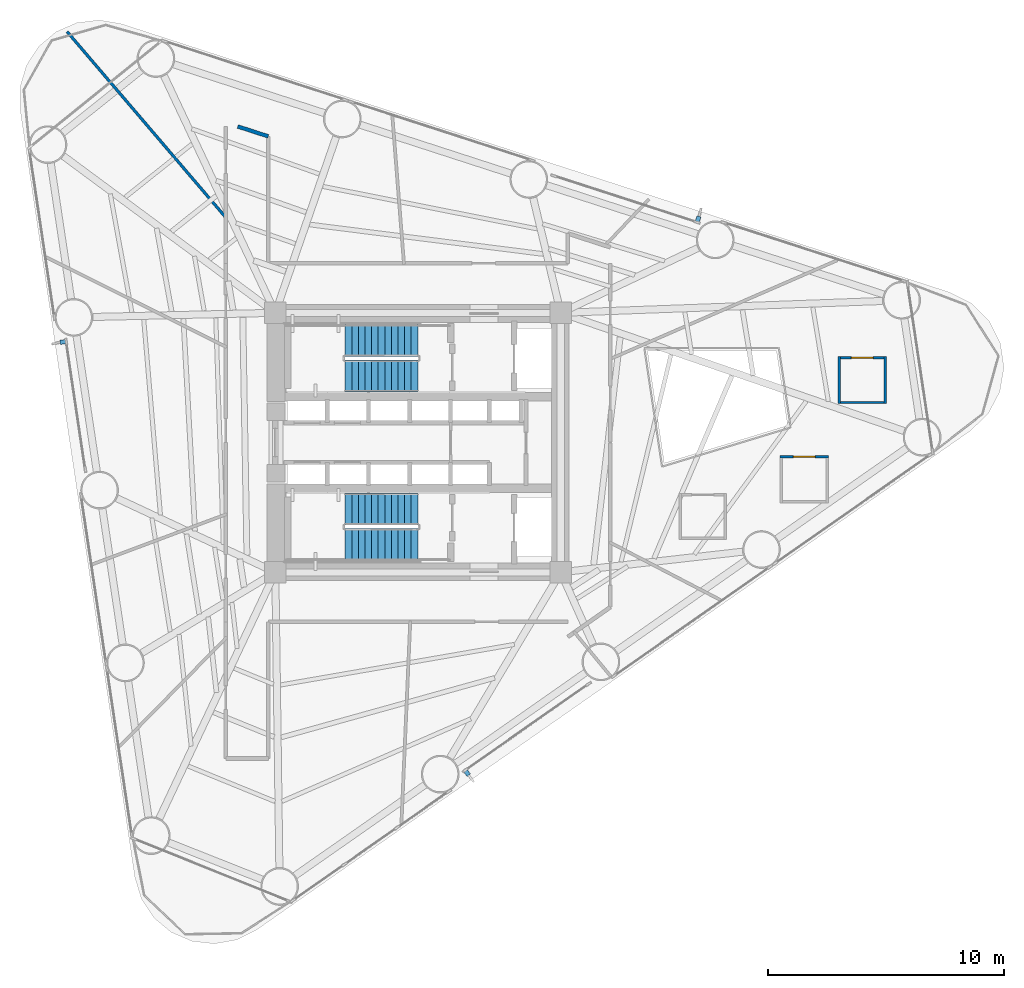
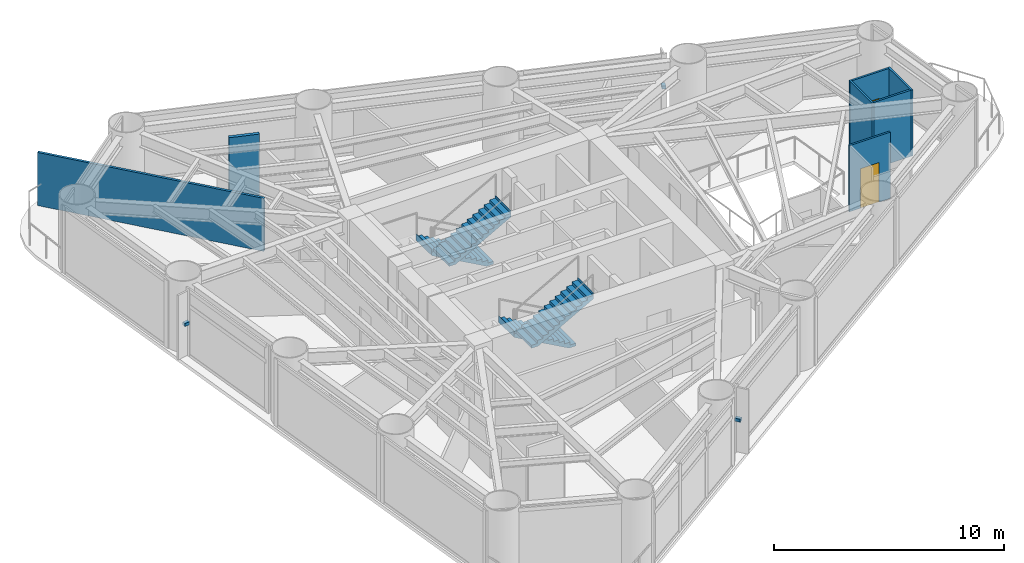
# One storey, part 7 of 9: 7 walls, 4 stair flights, 3 discrete accessories, 2 doors, 2 openings, 2 elements without a shape of their own.
"""IFC4 building model written with IfcOpenShell, lengths in metres."""

import ifcopenshell
import ifcopenshell.guid

model = None  # the IFC model being written
_history = None  # IfcOwnerHistory: only IFC2X3 demands one
_inside = {}  # id of a spatial element -> (the spatial element, [elements in it])
_under = {}  # id of a project, library or spatial element -> (it, [spatial elements below it])
_declared = {}  # id of a project -> (the project, [libraries it declares])
_typed = {}  # id of a type object -> (the type object, [elements of that type])
_made_of = {}  # id of a material, layer set ... -> (it, [elements and type objects made of it])


def new_model(schema):
    """Start an empty IFC model of exactly this schema.

    Asked for "IFC4X3", IfcOpenShell would pick the latest addendum, in which some entities
    have other attributes; the version numbers below select the first issue.
    IFC2X3 requires an IfcOwnerHistory on every rooted entity: one is made here for all.
    """
    global model, _history
    if schema == "IFC4X3":
        model = ifcopenshell.file(schema_version=(4, 3, 0, 0))
    else:
        model = ifcopenshell.file(schema=schema)
    _inside.clear()
    _under.clear()
    _declared.clear()
    _typed.clear()
    _made_of.clear()
    _history = None
    if model.schema == "IFC2X3":
        org = make("IfcOrganization", Name="unknown")
        user = make(
            "IfcPersonAndOrganization",
            ThePerson=make("IfcPerson", FamilyName="unknown"),
            TheOrganization=org,
        )
        app = make(
            "IfcApplication",
            ApplicationDeveloper=org,
            Version="unknown",
            ApplicationFullName="unknown",
            ApplicationIdentifier="unknown",
        )
        _history = make(
            "IfcOwnerHistory",
            OwningUser=user,
            OwningApplication=app,
            ChangeAction="ADDED",
            CreationDate=0,
        )
    return model


def make(cls, **values):
    """One entity of the class cls with the attributes given. An attribute that is None is left unset."""
    return model.create_entity(
        cls, **{name: value for name, value in values.items() if value is not None}
    )


def rooted(cls, **values):
    """An entity with a GlobalId (a new one), such as an element, a storey or a relation."""
    return make(cls, GlobalId=ifcopenshell.guid.new(), OwnerHistory=_history, **values)


def si_unit(unit_type, name, prefix=None):
    """IfcSIUnit, for example si_unit("LENGTHUNIT", "METRE", prefix="MILLI")."""
    return make("IfcSIUnit", UnitType=unit_type, Prefix=prefix, Name=name)


def assignment(units):
    """IfcUnitAssignment: the units of a project."""
    return None if units is None else make("IfcUnitAssignment", Units=units)


def point(xyz):
    """IfcCartesianPoint."""
    return None if xyz is None else make("IfcCartesianPoint", Coordinates=xyz)


def direction(xyz):
    """IfcDirection."""
    return None if xyz is None else make("IfcDirection", DirectionRatios=xyz)


def frame(location, z_axis=None, x_axis=None):
    """IfcAxis2Placement3D, a coordinate frame: its origin and axes. An axis left out is left unset."""
    return make(
        "IfcAxis2Placement3D",
        Location=point(location),
        Axis=direction(z_axis),
        RefDirection=direction(x_axis),
    )


def frame_2d(location, x_axis=None):
    """IfcAxis2Placement2D, a coordinate frame in the plane: its origin and x axis."""
    return make(
        "IfcAxis2Placement2D", Location=point(location), RefDirection=direction(x_axis)
    )


def origin():
    """The frame at (0, 0, 0) with its axes left unset."""
    return frame((0.0, 0.0, 0.0))


def origin_2d():
    """The frame at (0, 0) in the plane with its x axis left unset."""
    return frame_2d((0.0, 0.0))


def place(relative_to, where):
    """IfcLocalPlacement: puts the frame where relative to a parent placement (None: the world)."""
    return make(
        "IfcLocalPlacement", PlacementRelTo=relative_to, RelativePlacement=where
    )


def context(
    kind, dimensions, precision=None, world=None, true_north=None, identifier=None
):
    """IfcGeometricRepresentationContext, for example the 3D "Model" context."""
    return make(
        "IfcGeometricRepresentationContext",
        ContextIdentifier=identifier,
        ContextType=kind,
        CoordinateSpaceDimension=dimensions,
        Precision=precision,
        WorldCoordinateSystem=world,
        TrueNorth=true_north,
    )


def subcontext(parent, identifier, kind, view, scale=None):
    """IfcGeometricRepresentationSubContext, for example "Body" below "Model"."""
    return make(
        "IfcGeometricRepresentationSubContext",
        ContextIdentifier=identifier,
        ContextType=kind,
        ParentContext=parent,
        TargetScale=scale,
        TargetView=view,
    )


def project(units=None, contexts=None):
    """IfcProject with its units and contexts."""
    return rooted(
        "IfcProject",
        Name="project",
        RepresentationContexts=contexts,
        UnitsInContext=assignment(units),
    )


def spatial(cls, under=None, at=None, **own):
    """A site, building, storey or space (cls), placed at a placement, below another one or the project."""
    s = rooted(cls, ObjectPlacement=at, **own)
    if under is not None:
        _under.setdefault(under.id(), (under, []))[1].append(s)
    return s


def polyline(points):
    """IfcPolyline through the points."""
    return make("IfcPolyline", Points=[point(p) for p in points])


def profile(cls, at=None, kind="AREA", **sizes):
    """A parametric profile (cls). Its sizes go by their IFC names, for example OverallWidth=200.0."""
    return make(cls, ProfileType=kind, Position=at, **sizes)


def rectangle(**sizes):
    """IfcRectangleProfileDef."""
    return profile("IfcRectangleProfileDef", **sizes)


def outline(outer, holes=None, kind="AREA"):
    """IfcArbitraryClosedProfileDef: a profile drawn as a closed curve; with holes, ...WithVoids."""
    if holes is None:
        return make("IfcArbitraryClosedProfileDef", ProfileType=kind, OuterCurve=outer)
    return make(
        "IfcArbitraryProfileDefWithVoids",
        ProfileType=kind,
        OuterCurve=outer,
        InnerCurves=holes,
    )


def extrude(swept, where, along, depth):
    """IfcExtrudedAreaSolid: the profile swept, set in the frame where, extruded along a direction by depth."""
    return make(
        "IfcExtrudedAreaSolid",
        SweptArea=swept,
        Position=where,
        ExtrudedDirection=direction(along),
        Depth=depth,
    )


def shape(context_of_items, identifier, shape_type, items):
    """IfcShapeRepresentation: the items that make up one representation, for example the "Body"."""
    return make(
        "IfcShapeRepresentation",
        ContextOfItems=context_of_items,
        RepresentationIdentifier=identifier,
        RepresentationType=shape_type,
        Items=items,
    )


def source(mapping_origin, context_of_items, identifier, shape_type, items):
    """IfcRepresentationMap: a shape defined once, which mapped items show again and again."""
    return make(
        "IfcRepresentationMap",
        MappingOrigin=mapping_origin,
        MappedRepresentation=shape(context_of_items, identifier, shape_type, items),
    )


def transform(
    local_origin,
    x_axis=None,
    y_axis=None,
    z_axis=None,
    scale=None,
    scale2=None,
    scale3=None,
    uniform=True,
):
    """IfcCartesianTransformationOperator3D, or its non-uniform kind. x_axis, y_axis, z_axis: its Axis1, 2, 3."""
    if uniform:
        return make(
            "IfcCartesianTransformationOperator3D",
            Axis1=direction(x_axis),
            Axis2=direction(y_axis),
            LocalOrigin=point(local_origin),
            Scale=scale,
            Axis3=direction(z_axis),
        )
    return make(
        "IfcCartesianTransformationOperator3DnonUniform",
        Axis1=direction(x_axis),
        Axis2=direction(y_axis),
        LocalOrigin=point(local_origin),
        Scale=scale,
        Axis3=direction(z_axis),
        Scale2=scale2,
        Scale3=scale3,
    )


def mapped(mapping_source, mapping_target):
    """IfcMappedItem: shows the shape of a source again, moved by a transform."""
    return make(
        "IfcMappedItem", MappingSource=mapping_source, MappingTarget=mapping_target
    )


def material(Name=None, Category=None):
    """IfcMaterial."""
    return make("IfcMaterial", Name=Name, Category=Category)


def layer(
    of_material, thickness, ventilated=None, Name=None, Category=None, Priority=None
):
    """IfcMaterialLayer: one layer of a wall or slab, of a material (None: an air gap)."""
    return make(
        "IfcMaterialLayer",
        Material=of_material,
        LayerThickness=thickness,
        IsVentilated=ventilated,
        Name=Name,
        Category=Category,
        Priority=Priority,
    )


def layer_set(layers, Name=None):
    """IfcMaterialLayerSet."""
    return make("IfcMaterialLayerSet", MaterialLayers=layers, LayerSetName=Name)


def made_of(thing, what):
    """Note that an element or type object is made of a material, layer set ...; save() writes the relation."""
    if what is not None:
        _made_of.setdefault(what.id(), (what, []))[1].append(thing)
    return thing


def type_object(cls, material=None, **own):
    """A type object (cls), such as IfcWallType, which elements share."""
    return made_of(rooted(cls, **own), material)


def element(
    cls,
    number,
    at=None,
    inside=None,
    cuts=None,
    type_object=None,
    material=None,
    context=None,
    identifier="Body",
    shape_type=None,
    held_by="IfcProductDefinitionShape",
    body=None,
    shapes=None,
    **own,
):
    """One element of the class cls, such as IfcWall. Its Tag is "e" and its number.

    at: its placement. inside: the storey or other place that contains it. cuts: it is an
    opening in that element (IfcRelVoidsElement). A single representation is given by context,
    identifier, shape_type and body (its items); several are given by shapes. held_by: the class
    of the entity that holds the representations. save() writes the other relations.
    """
    e = rooted(cls, Tag="e%d" % number, ObjectPlacement=at, **own)
    if body is not None:
        shapes = [shape(context, identifier, shape_type, body)]
    if shapes is not None:
        e.Representation = make(held_by, Representations=shapes)
    if inside is not None:
        _inside.setdefault(inside.id(), (inside, []))[1].append(e)
    if cuts is not None:
        rooted(
            "IfcRelVoidsElement", RelatingBuildingElement=cuts, RelatedOpeningElement=e
        )
    if type_object is not None:
        _typed.setdefault(type_object.id(), (type_object, []))[1].append(e)
    return made_of(e, material)


def fill(opening, filler):
    """IfcRelFillsElement: the door or window that sits in an opening."""
    return rooted(
        "IfcRelFillsElement",
        RelatingOpeningElement=opening,
        RelatedBuildingElement=filler,
    )


def aggregate(whole, parts):
    """IfcRelAggregates: a whole, such as a stair, and the parts it consists of."""
    return rooted("IfcRelAggregates", RelatingObject=whole, RelatedObjects=parts)


def save(model, path):
    """Write the relations noted so far, then the file.

    IfcRelAggregates (storeys below a building ...), IfcRelContainedInSpatialStructure (elements
    in a storey), IfcRelDefinesByType, IfcRelAssociatesMaterial and IfcRelDeclares: one each for
    every whole, place, type object, material and project.
    """
    for whole, parts in _under.values():
        aggregate(whole, parts)
    for where, things in _inside.values():
        rooted(
            "IfcRelContainedInSpatialStructure",
            RelatedElements=things,
            RelatingStructure=where,
        )
    for kind, things in _typed.values():
        rooted("IfcRelDefinesByType", RelatedObjects=things, RelatingType=kind)
    for what, things in _made_of.values():
        rooted("IfcRelAssociatesMaterial", RelatedObjects=things, RelatingMaterial=what)
    for by, libraries in _declared.values():
        rooted("IfcRelDeclares", RelatingContext=by, RelatedDefinitions=libraries)
    model.write(path)


model = new_model("IFC4")

# Units and contexts
model_context = context("Model", 3, precision=1e-05, world=origin(), true_north=direction((0.0, 1.0)))
body_context = subcontext(model_context, "Body", "Model", "MODEL_VIEW")
ifc_project = project(units=[si_unit("LENGTHUNIT", "METRE"), si_unit("AREAUNIT", "SQUARE_METRE"), si_unit("VOLUMEUNIT", "CUBIC_METRE"), si_unit("PLANEANGLEUNIT", "RADIAN"), si_unit("MASSUNIT", "GRAM", prefix="KILO")], contexts=[model_context])

# Site, building, storey
site_placement = place(None, origin())
site = spatial("IfcSite", under=ifc_project, at=site_placement, CompositionType="ELEMENT")
building_placement = place(site_placement, origin())
building = spatial("IfcBuilding", under=site, at=building_placement, Name="Yunling Apex Tower", CompositionType="ELEMENT")
storey_placement = place(building_placement, frame((0.0, 0.0, 81.050048828125)))
storey = spatial("IfcBuildingStorey", under=building, at=storey_placement, Name="L21", CompositionType="ELEMENT", Elevation=81.050048828125)

# Walls
ifc_material_1 = material(Name="Gypsum board acoustic partition")
ifc_layer_1 = layer(ifc_material_1, 0.159912109375)
ifc_layer_set_1 = layer_set([ifc_layer_1], Name="Gypsum board acoustic partition")
wall_type_1 = type_object("IfcWallType", Name="WL-PRT-1", PredefinedType="PARTITIONING", material=ifc_layer_set_1)
wall_1_placement = place(storey_placement, frame((-7.64111328125, 13.39990234375, 0.0), z_axis=(0.0, 0.0, 1.0), x_axis=(0.951277022007, -0.308337521884, 0.0)))
element("IfcWall", 1, at=wall_1_placement, inside=storey, type_object=wall_type_1, Name="WL-CORR-L21-05", PredefinedType="PARTITIONING", context=body_context, shape_type="SweptSolid", body=[
    extrude(rectangle(XDim=1.357177734375, YDim=0.159912109375, at=frame_2d((0.6787109375, 0.0))), origin(), (0.0, 0.0, 1.0), 3.510009765625),
])
ifc_layer_2 = layer(ifc_material_1, 0.1201171875)
ifc_layer_set_2 = layer_set([ifc_layer_2], Name="Gypsum board acoustic partition")
wall_type_2 = type_object("IfcWallType", Name="WL-PRT-3", PredefinedType="PARTITIONING", material=ifc_layer_set_2)
wall_2_placement = place(storey_placement, frame((-8.110107421875, 9.49560546875, 0.0), z_axis=(0.0, 0.0, 1.0), x_axis=(-0.649436485197, 0.760415841297, 0.0)))
element("IfcWall", 2, at=wall_2_placement, inside=storey, type_object=wall_type_2, Name="WL-RAD-L21-01", PredefinedType="PARTITIONING", context=body_context, shape_type="SweptSolid", body=[
    extrude(rectangle(XDim=10.42529296875, YDim=0.1201171875, at=frame_2d((5.212646484375, 0.0))), origin(), (0.0, 0.0, 1.0), 2.81494140625),
])

# Wall, opening, door
ifc_layer_3 = layer(ifc_material_1, 0.10009765625)
ifc_layer_set_3 = layer_set([ifc_layer_3], Name="Gypsum board acoustic partition")
wall_type_3 = type_object("IfcWallType", Name="WL-PRT-4", PredefinedType="PARTITIONING", material=ifc_layer_set_3)
wall_3_placement = place(storey_placement, frame((15.345947265625, -0.60400390625, 0.0), z_axis=(0.0, 0.0, 1.0), x_axis=(1.0, 0.0, 0.0)))
wall_3 = element("IfcWall", 3, at=wall_3_placement, inside=storey, type_object=wall_type_3, Name="WL-L21-WCMN", PredefinedType="PARTITIONING", context=body_context, shape_type="SweptSolid", body=[
    extrude(rectangle(XDim=2.050048828125, YDim=0.10009765625, at=frame_2d((1.02490234375, 0.0))), origin(), (0.0, 0.0, 1.0), 3.510009765625),
])
opening_1_placement = place(wall_3_placement, frame((0.56494140625, 0.0, 0.0)))
opening_1 = element("IfcOpeningElement", 4, at=opening_1_placement, cuts=wall_3, Name="Opening DR-WC-1", PredefinedType="OPENING", context=body_context, shape_type="SweptSolid", body=[
    extrude(rectangle(XDim=0.919921875, YDim=2.10009765625, at=frame_2d((0.4599609375, 1.050048828125))), frame((0.0, 0.06005859375, 0.0), z_axis=(0.0, -1.0, 0.0), x_axis=(1.0, 0.0, 0.0)), (0.0, 0.0, 1.0), 0.1201171875),
])
ifc_material_2 = material(Name="Timber moisture-resistant leaf", Category="wood")
door_type = type_object("IfcDoorType", Name="DR-WC-1", OperationType="NOTDEFINED", PredefinedType="DOOR", material=ifc_material_2)
door_1_placement = place(opening_1_placement, origin())
door_1 = element("IfcDoor", 5, at=door_1_placement, inside=storey, type_object=door_type, Name="L21 Male Toilet Door", OperationType="SINGLE_SWING_LEFT", OverallHeight=2.10009765625, OverallWidth=0.919921875, PredefinedType="DOOR", context=body_context, shape_type="SweptSolid", body=[
    extrude(rectangle(XDim=0.919921875, YDim=2.10009765625, at=frame_2d((0.4599609375, 1.050048828125))), frame((0.0, 0.02490234375, 0.0), z_axis=(0.0, -1.0, 0.0), x_axis=(1.0, 0.0, 0.0)), (0.0, 0.0, 1.0), 0.050048828125),
])
fill(opening_1, door_1)

wall_4_placement = place(storey_placement, frame((17.803955078125, 3.59912109375, 0.0), z_axis=(0.0, 0.0, 1.0), x_axis=(1.0, 0.0, 0.0)))
wall_4 = element("IfcWall", 6, at=wall_4_placement, inside=storey, type_object=wall_type_3, Name="WL-L21-WCFN", PredefinedType="PARTITIONING", context=body_context, shape_type="SweptSolid", body=[
    extrude(rectangle(XDim=2.050048828125, YDim=0.10009765625, at=frame_2d((1.02490234375, 0.0))), origin(), (0.0, 0.0, 1.0), 3.510009765625),
])
opening_2_placement = place(wall_4_placement, frame((0.56494140625, 0.0, 0.0)))
opening_2 = element("IfcOpeningElement", 7, at=opening_2_placement, cuts=wall_4, Name="Opening DR-WC-1", PredefinedType="OPENING", context=body_context, shape_type="SweptSolid", body=[
    extrude(rectangle(XDim=0.919921875, YDim=2.10009765625, at=frame_2d((0.4599609375, 1.050048828125))), frame((0.0, 0.06005859375, 0.0), z_axis=(0.0, -1.0, 0.0), x_axis=(1.0, 0.0, 0.0)), (0.0, 0.0, 1.0), 0.1201171875),
])
door_2_placement = place(opening_2_placement, origin())
door_2 = element("IfcDoor", 8, at=door_2_placement, inside=storey, type_object=door_type, Name="L21 Female Toilet Door", OperationType="SINGLE_SWING_RIGHT", OverallHeight=2.10009765625, OverallWidth=0.919921875, PredefinedType="DOOR", context=body_context, shape_type="SweptSolid", body=[
    extrude(rectangle(XDim=0.919921875, YDim=2.10009765625, at=frame_2d((0.4599609375, 1.050048828125))), frame((0.0, 0.02490234375, 0.0), z_axis=(0.0, -1.0, 0.0), x_axis=(1.0, 0.0, 0.0)), (0.0, 0.0, 1.0), 0.050048828125),
])
fill(opening_2, door_2)

# Walls
wall_5_placement = place(storey_placement, frame((19.85400390625, 1.698974609375, 0.0), z_axis=(0.0, 0.0, 1.0), x_axis=(-1.0, 0.0, 0.0)))
element("IfcWall", 9, at=wall_5_placement, inside=storey, type_object=wall_type_3, Name="WL-L21-WCFS", PredefinedType="PARTITIONING", context=body_context, shape_type="SweptSolid", body=[
    extrude(rectangle(XDim=2.050048828125, YDim=0.10009765625, at=frame_2d((1.02490234375, 0.0))), origin(), (0.0, 0.0, 1.0), 3.510009765625),
])
for number, where, z_axis, x_axis, name in (
    (10, (19.803955078125, 3.64892578125, 0.0), (0.0, 0.0, 1.0), (0.0, -1.0, 0.0), "WL-L21-WCFE"),
    (11, (17.85400390625, 1.64892578125, 0.0), (0.0, 0.0, 1.0), (0.0, 1.0, 0.0), "WL-L21-WCFW"),
):
    element("IfcWall", number, at=place(storey_placement, frame(where, z_axis=z_axis, x_axis=x_axis)), inside=storey, type_object=wall_type_3, Name=name, PredefinedType="PARTITIONING", context=body_context, shape_type="SweptSolid", body=[
        extrude(rectangle(XDim=2.0, YDim=0.10009765625, at=frame_2d((1.0, 0.0))), origin(), (0.0, 0.0, 1.0), 3.510009765625),
    ])

# Stair, stair flights
ifc_material_3 = material(Name="Concrete C40", Category="concrete")
stair_type = type_object("IfcStairType", Name="ST-TWR-1", PredefinedType="HALF_TURN_STAIR", material=ifc_material_3)
stair_1_placement = place(storey_placement, origin())
stair_1 = element("IfcStair", 12, at=stair_1_placement, inside=storey, type_object=stair_type, Name="L21 North Core Smokeproof Exit Stair ST-1", PredefinedType="HALF_TURN_STAIR")
stair_flight_type = type_object("IfcStairFlightType", Name="SFL-TWR-1", PredefinedType="STRAIGHT", material=ifc_material_3)
stair_flight_1_placement = place(storey_placement, frame((-0.010009765625, 4.330078125, 0.0), z_axis=(0.0, 0.0, 1.0), x_axis=(-1.0, 0.0, 0.0)))
stair_flight_1 = element("IfcStairFlight", 13, at=stair_flight_1_placement, type_object=stair_flight_type, Name="ST-1 flight 1", NumberOfRisers=12, NumberOfTreads=11, PredefinedType="STRAIGHT", RiserHeight=0.15625, TreadLength=0.28, context=body_context, shape_type="SweptSolid", body=[
    extrude(outline(polyline([(-0.011962890625, 0.0), (-0.011962890625, 0.15625), (0.0, 0.15625), (0.280029296875, 0.15625), (0.280029296875, 0.3125), (0.56005859375, 0.3125), (0.56005859375, 0.46875), (0.840087890625, 0.46875), (0.840087890625, 0.625), (1.1201171875, 0.625), (1.1201171875, 0.78125), (1.39990234375, 0.78125), (1.39990234375, 0.9375), (1.679931640625, 0.9375), (1.679931640625, 1.09375), (1.9599609375, 1.09375), (1.9599609375, 1.25), (2.239990234375, 1.25), (2.239990234375, 1.40625), (2.52001953125, 1.40625), (2.52001953125, 1.5625), (2.800048828125, 1.5625), (2.800048828125, 1.71875), (3.080078125, 1.71875), (3.080078125, 1.875), (3.092041015625, 1.875), (3.092041015625, 1.53564453125), (0.328125, 0.0), (-0.011962890625, 0.0)])), frame((0.0, 0.68017578125, 0.0), z_axis=(0.0, -1.0, 0.0), x_axis=(1.0, 0.0, 0.0)), (0.0, 0.0, 1.0), 1.360107421875),
])
stair_flight_2_placement = place(storey_placement, frame((-3.090087890625, 2.820068359375, 1.875), z_axis=(0.0, 0.0, 1.0), x_axis=(1.0, 0.0, 0.0)))
stair_flight_2 = element("IfcStairFlight", 14, at=stair_flight_2_placement, type_object=stair_flight_type, Name="ST-1 flight 2", NumberOfRisers=12, NumberOfTreads=11, PredefinedType="STRAIGHT", RiserHeight=0.15625, TreadLength=0.28, context=body_context, shape_type="SweptSolid", body=[
    extrude(outline(polyline([(-0.011962890625, 0.0), (-0.011962890625, 0.15625), (0.0, 0.15625), (0.280029296875, 0.15625), (0.280029296875, 0.3125), (0.56005859375, 0.3125), (0.56005859375, 0.46875), (0.840087890625, 0.46875), (0.840087890625, 0.625), (1.1201171875, 0.625), (1.1201171875, 0.78125), (1.39990234375, 0.78125), (1.39990234375, 0.9375), (1.679931640625, 0.9375), (1.679931640625, 1.09375), (1.9599609375, 1.09375), (1.9599609375, 1.25), (2.239990234375, 1.25), (2.239990234375, 1.40625), (2.52001953125, 1.40625), (2.52001953125, 1.5625), (2.800048828125, 1.5625), (2.800048828125, 1.71875), (3.080078125, 1.71875), (3.080078125, 1.875), (3.092041015625, 1.875), (3.092041015625, 1.53564453125), (0.328125, 0.0), (-0.011962890625, 0.0)])), frame((0.0, 0.68017578125, 0.0), z_axis=(0.0, -1.0, 0.0), x_axis=(1.0, 0.0, 0.0)), (0.0, 0.0, 1.0), 1.360107421875),
])
aggregate(stair_1, [stair_flight_1, stair_flight_2])

stair_2_placement = place(storey_placement, origin())
stair_2 = element("IfcStair", 15, at=stair_2_placement, inside=storey, type_object=stair_type, Name="L21 South Core Smokeproof Exit Stair ST-2", PredefinedType="HALF_TURN_STAIR")
stair_flight_3_placement = place(storey_placement, frame((-0.010009765625, -2.820068359375, 0.0), z_axis=(0.0, 0.0, 1.0), x_axis=(-1.0, 0.0, 0.0)))
stair_flight_3 = element("IfcStairFlight", 16, at=stair_flight_3_placement, type_object=stair_flight_type, Name="ST-2 flight 1", NumberOfRisers=12, NumberOfTreads=11, PredefinedType="STRAIGHT", RiserHeight=0.15625, TreadLength=0.28, context=body_context, shape_type="SweptSolid", body=[
    extrude(outline(polyline([(-0.011962890625, 0.0), (-0.011962890625, 0.15625), (0.0, 0.15625), (0.280029296875, 0.15625), (0.280029296875, 0.3125), (0.56005859375, 0.3125), (0.56005859375, 0.46875), (0.840087890625, 0.46875), (0.840087890625, 0.625), (1.1201171875, 0.625), (1.1201171875, 0.78125), (1.39990234375, 0.78125), (1.39990234375, 0.9375), (1.679931640625, 0.9375), (1.679931640625, 1.09375), (1.9599609375, 1.09375), (1.9599609375, 1.25), (2.239990234375, 1.25), (2.239990234375, 1.40625), (2.52001953125, 1.40625), (2.52001953125, 1.5625), (2.800048828125, 1.5625), (2.800048828125, 1.71875), (3.080078125, 1.71875), (3.080078125, 1.875), (3.092041015625, 1.875), (3.092041015625, 1.53564453125), (0.328125, 0.0), (-0.011962890625, 0.0)])), frame((0.0, 0.68017578125, 0.0), z_axis=(0.0, -1.0, 0.0), x_axis=(1.0, 0.0, 0.0)), (0.0, 0.0, 1.0), 1.360107421875),
])
stair_flight_4_placement = place(storey_placement, frame((-3.090087890625, -4.330078125, 1.875), z_axis=(0.0, 0.0, 1.0), x_axis=(1.0, 0.0, 0.0)))
stair_flight_4 = element("IfcStairFlight", 17, at=stair_flight_4_placement, type_object=stair_flight_type, Name="ST-2 flight 2", NumberOfRisers=12, NumberOfTreads=11, PredefinedType="STRAIGHT", RiserHeight=0.15625, TreadLength=0.28, context=body_context, shape_type="SweptSolid", body=[
    extrude(outline(polyline([(-0.011962890625, 0.0), (-0.011962890625, 0.15625), (0.0, 0.15625), (0.280029296875, 0.15625), (0.280029296875, 0.3125), (0.56005859375, 0.3125), (0.56005859375, 0.46875), (0.840087890625, 0.46875), (0.840087890625, 0.625), (1.1201171875, 0.625), (1.1201171875, 0.78125), (1.39990234375, 0.78125), (1.39990234375, 0.9375), (1.679931640625, 0.9375), (1.679931640625, 1.09375), (1.9599609375, 1.09375), (1.9599609375, 1.25), (2.239990234375, 1.25), (2.239990234375, 1.40625), (2.52001953125, 1.40625), (2.52001953125, 1.5625), (2.800048828125, 1.5625), (2.800048828125, 1.71875), (3.080078125, 1.71875), (3.080078125, 1.875), (3.092041015625, 1.875), (3.092041015625, 1.53564453125), (0.328125, 0.0), (-0.011962890625, 0.0)])), frame((0.0, 0.68017578125, 0.0), z_axis=(0.0, -1.0, 0.0), x_axis=(1.0, 0.0, 0.0)), (0.0, 0.0, 1.0), 1.360107421875),
])
aggregate(stair_2, [stair_flight_3, stair_flight_4])

# Discrete accessories
ifc_material_4 = material(Name="Steel Q355B", Category="steel")
discrete_accessory_type = type_object("IfcDiscreteAccessoryType", Name="BK-FIN-1", PredefinedType="BRACKET", material=ifc_material_4)
shared_shape = source(origin(), body_context, "Body", "SweptSolid", [
    extrude(rectangle(XDim=0.179931640625, YDim=0.260009765625, at=origin_2d()), origin(), (0.0, 0.0, 1.0), 0.159912109375),
])
for number, where, z_axis, x_axis, name in (
    (18, (2.07421875, -13.998291015625, 1.68505859375), (0.0, 0.0, 1.0), (0.819552276527, 0.573004420611, 0.0), "CW-L21-F1-B2-BRK-01-1"),
    (19, (11.86865234375, 9.462158203125, 1.68505859375), (0.0, 0.0, 1.0), (-0.951272019071, 0.30835295642, 0.0), "CW-L21-F2-B2-BRK-01-1"),
    (20, (-15.0458984375, 4.265380859375, 1.68505859375), (0.0, 0.0, 1.0), (0.14780941113, -0.989015863362, 0.0), "CW-L21-F3-B2-BRK-01-1"),
):
    element("IfcDiscreteAccessory", number, at=place(storey_placement, frame(where, z_axis=z_axis, x_axis=x_axis)), inside=storey, type_object=discrete_accessory_type, Name=name, PredefinedType="BRACKET", context=body_context, shape_type="MappedRepresentation", body=[
        mapped(shared_shape, transform((0.0, 0.0, 0.0), scale=1.0)),
    ])

save(model, "model.ifc")
